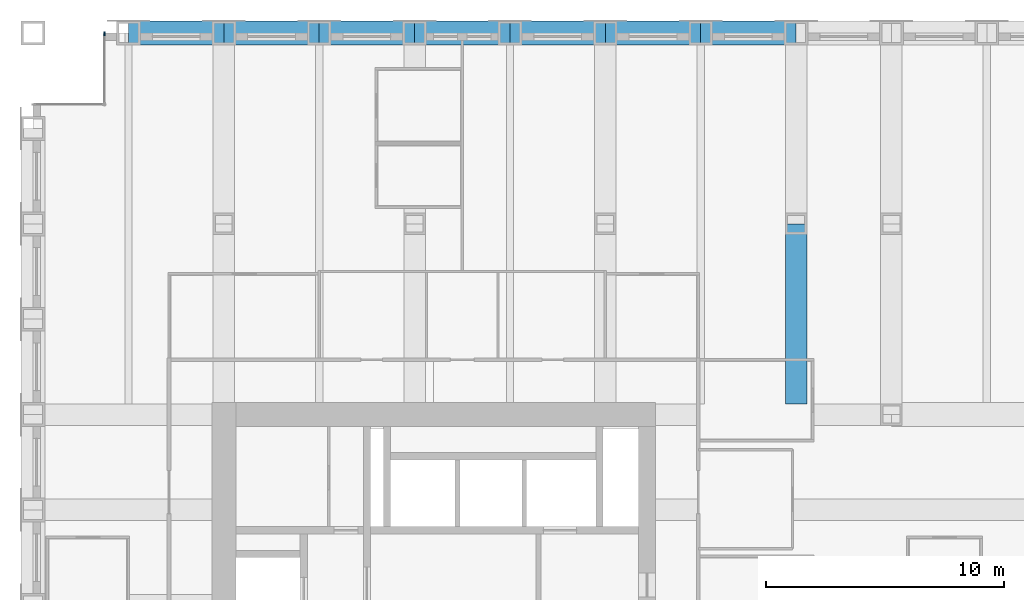
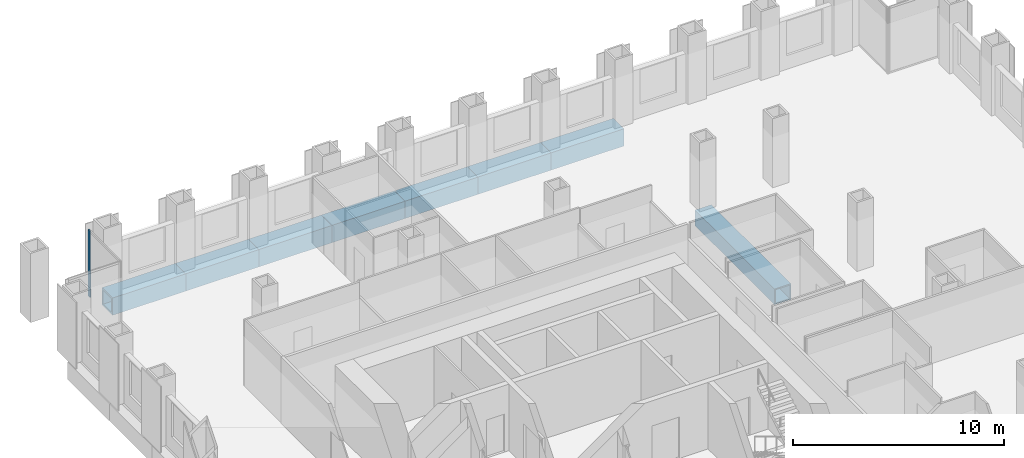
# One storey, part 8 of 16: 8 beams, 1 member, 1 element without a shape of its own.
"""IFC4 building model written with IfcOpenShell, lengths in metres."""

from ifc_helpers import new_model, si_unit, direction, frame, origin, origin_2d, place, context, subcontext, project, spatial, rectangle, hollow_rectangle, extrude, material, material_profile, profile_set, type_object, element, aggregate, save


model = new_model("IFC4")

# Units and contexts
model_context = context("Model", 3, precision=1e-05, world=origin(), true_north=direction((0.0, 1.0)))
body_context = subcontext(model_context, "Body", "Model", "MODEL_VIEW")
ifc_project = project(units=[si_unit("LENGTHUNIT", "METRE"), si_unit("AREAUNIT", "SQUARE_METRE"), si_unit("VOLUMEUNIT", "CUBIC_METRE"), si_unit("PLANEANGLEUNIT", "RADIAN"), si_unit("MASSUNIT", "GRAM", prefix="KILO")], contexts=[model_context])

# Site, building, storey
site_placement = place(None, origin())
site = spatial("IfcSite", under=ifc_project, at=site_placement, CompositionType="ELEMENT")
building_placement = place(site_placement, origin())
building = spatial("IfcBuilding", under=site, at=building_placement, Name="Rimbunsela Tower", CompositionType="ELEMENT")
storey_placement = place(building_placement, frame((0.0, 0.0, 129.39990234375)))
storey = spatial("IfcBuildingStorey", under=building, at=storey_placement, Name="L31", CompositionType="ELEMENT", Elevation=129.39990234375)

# Beams
ifc_material_1 = material(Name="Steel BJ 55 (fy 410 MPa)", Category="steel")
ifc_material_profile_1 = material_profile(ifc_material_1, hollow_rectangle(XDim=1.0, YDim=1.0, WallThickness=0.10009765625, at=origin_2d()), Name="BOX 1000x1000x100")
ifc_profile_set_1 = profile_set([ifc_material_profile_1], Name="Steel BJ 55 (fy 410 MPa)")
beam_type_1 = type_object("IfcBeamType", Name="Beam BOX 1000x1000x100", PredefinedType="BEAM", material=ifc_profile_set_1)
for number, where, z_axis, x_axis, name in (
    (1, (14.0, 52.0, -0.64990234375), (1.0, 0.0, 0.0), (0.0, 1.0, 0.0), "Beam B3 L31"),
    (2, (18.0, 52.0, -0.64990234375), (1.0, 0.0, 0.0), (0.0, 1.0, 0.0), "Beam B3 L31"),
    (3, (22.0, 52.0, -0.64990234375), (1.0, 0.0, 0.0), (0.0, 1.0, 0.0), "Beam B3 L31"),
    (4, (26.0, 52.0, -0.64990234375), (1.0, 0.0, 0.0), (0.0, 1.0, 0.0), "Beam B3 L31"),
    (5, (30.0, 52.0, -0.64990234375), (1.0, 0.0, 0.0), (0.0, 1.0, 0.0), "Beam B3 L31"),
    (6, (34.0, 52.0, -0.64990234375), (1.0, 0.0, 0.0), (0.0, 1.0, 0.0), "Beam B3 L31"),
    (7, (38.0, 52.0, -0.64990234375), (1.0, 0.0, 0.0), (0.0, 1.0, 0.0), "Beam B3 L31"),
):
    element("IfcBeam", number, at=place(storey_placement, frame(where, z_axis=z_axis, x_axis=x_axis)), inside=storey, type_object=beam_type_1, Name=name, PredefinedType="BEAM", context=body_context, shape_type="SweptSolid", body=[
        extrude(hollow_rectangle(XDim=1.0, YDim=1.0, WallThickness=0.10009765625, at=origin_2d()), origin(), (0.0, 0.0, 1.0), 4.0),
    ])
ifc_material_2 = material(Name="Steel BJ 55 (fy 410 MPa)", Category="steel")
ifc_material_profile_2 = material_profile(ifc_material_2, hollow_rectangle(XDim=0.89990234375, YDim=0.89990234375, WallThickness=0.06005859375, at=origin_2d()), Name="BOX 900x900x60")
ifc_profile_set_2 = profile_set([ifc_material_profile_2], Name="Steel BJ 55 (fy 410 MPa)")
beam_type_2 = type_object("IfcBeamType", Name="Beam BOX 900x900x60", PredefinedType="BEAM", material=ifc_profile_set_2)
beam_placement = place(storey_placement, frame((42.0, 36.449951171875, -0.599853515625), z_axis=(0.0, 1.0, 0.0), x_axis=(-1.0, 0.0, 0.0)))
element("IfcBeam", 8, at=beam_placement, inside=storey, type_object=beam_type_2, Name="Beam B1 L31", PredefinedType="BEAM", context=body_context, shape_type="SweptSolid", body=[
    extrude(hollow_rectangle(XDim=0.89990234375, YDim=0.89990234375, WallThickness=0.06005859375, at=origin_2d()), origin(), (0.0, 0.0, 1.0), 7.550048828125),
])

# Curtain wall, member
ifc_material_3 = material(Name="Aluminium curtain wall", Category="aluminium")
curtain_wall_type = type_object("IfcCurtainWallType", Name="Corner glazing", PredefinedType="USERDEFINED", material=ifc_material_3)
curtain_wall_placement = place(storey_placement, origin())
curtain_wall = element("IfcCurtainWall", 9, at=curtain_wall_placement, inside=storey, type_object=curtain_wall_type, Name="Corner glazing L31", ObjectType="CORNER GLAZING", PredefinedType="USERDEFINED")
ifc_material_4 = material(Name="Aluminium mullion", Category="aluminium")
ifc_material_profile_3 = material_profile(ifc_material_4, rectangle(XDim=0.06005859375, YDim=0.159912109375, at=origin_2d()), Name="Mullion 60x160")
ifc_profile_set_3 = profile_set([ifc_material_profile_3], Name="Aluminium mullion")
member_type = type_object("IfcMemberType", Name="Curtain wall mullion 60x160", PredefinedType="MULLION", material=ifc_profile_set_3)
member_placement = place(storey_placement, frame((13.0, 51.969970703125, 0.0), z_axis=(0.0, 0.0, 1.0), x_axis=(1.0, 0.0, 0.0)))
member = element("IfcMember", 10, at=member_placement, type_object=member_type, Name="CW5 mullion 1", PredefinedType="MULLION", context=body_context, shape_type="SweptSolid", body=[
    extrude(rectangle(XDim=0.06005859375, YDim=0.159912109375, at=origin_2d()), origin(), (0.0, 0.0, 1.0), 3.85009765625),
])
aggregate(curtain_wall, [member])

save(model, "model.ifc")
